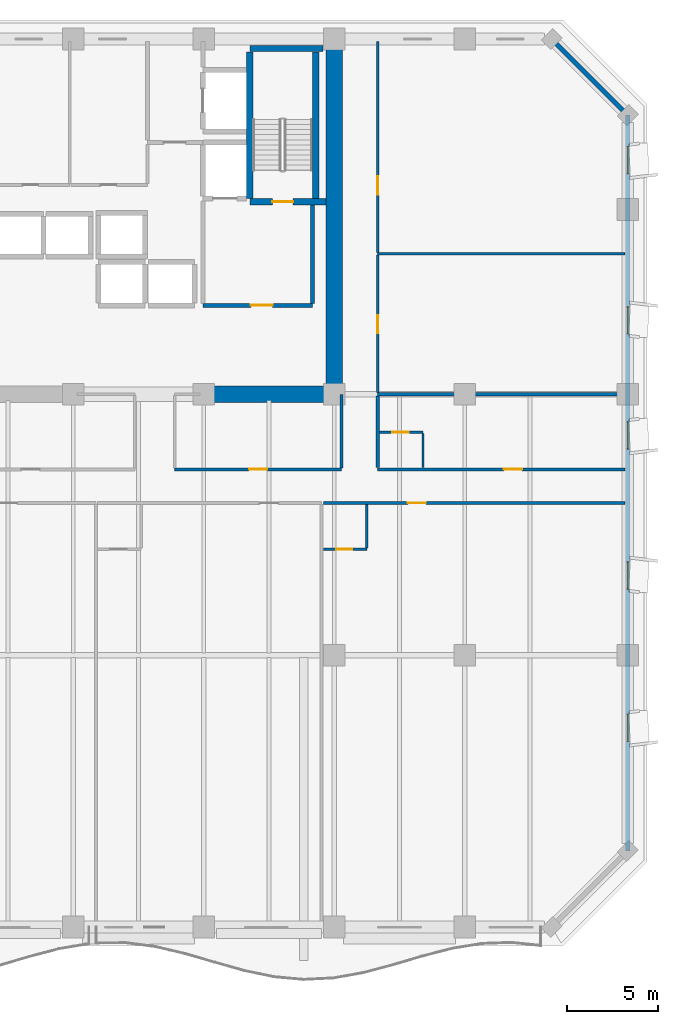
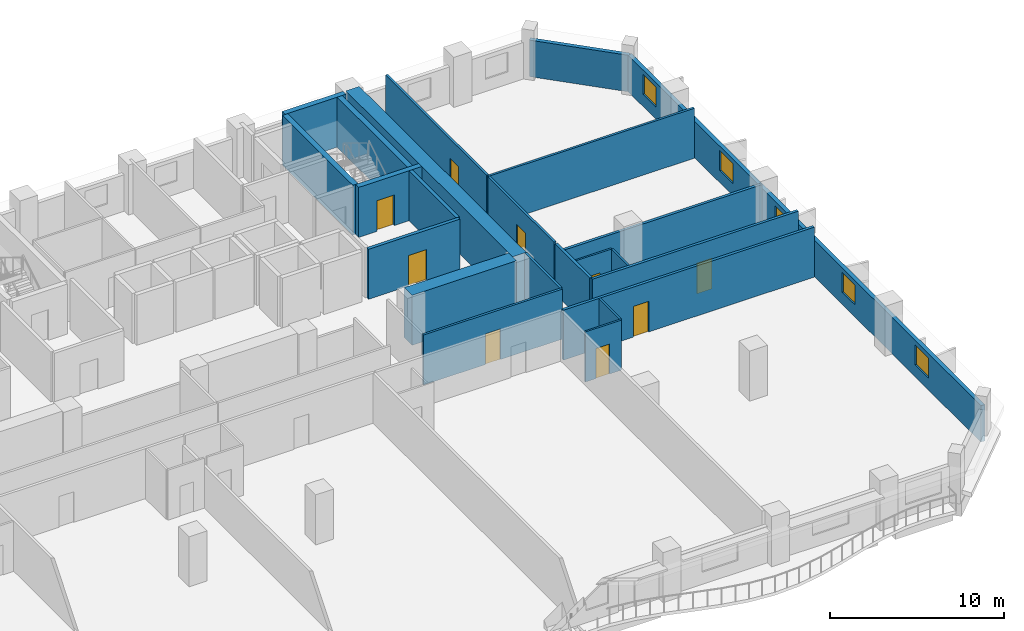
# One storey, part 10 of 15: 23 walls, 9 doors, 5 windows, 14 openings.
"""IFC4 building model written with IfcOpenShell, lengths in metres."""

import ifcopenshell
import ifcopenshell.guid

model = None  # the IFC model being written
_history = None  # IfcOwnerHistory: only IFC2X3 demands one
_inside = {}  # id of a spatial element -> (the spatial element, [elements in it])
_under = {}  # id of a project, library or spatial element -> (it, [spatial elements below it])
_declared = {}  # id of a project -> (the project, [libraries it declares])
_typed = {}  # id of a type object -> (the type object, [elements of that type])
_made_of = {}  # id of a material, layer set ... -> (it, [elements and type objects made of it])


def new_model(schema):
    """Start an empty IFC model of exactly this schema.

    Asked for "IFC4X3", IfcOpenShell would pick the latest addendum, in which some entities
    have other attributes; the version numbers below select the first issue.
    IFC2X3 requires an IfcOwnerHistory on every rooted entity: one is made here for all.
    """
    global model, _history
    if schema == "IFC4X3":
        model = ifcopenshell.file(schema_version=(4, 3, 0, 0))
    else:
        model = ifcopenshell.file(schema=schema)
    _inside.clear()
    _under.clear()
    _declared.clear()
    _typed.clear()
    _made_of.clear()
    _history = None
    if model.schema == "IFC2X3":
        org = make("IfcOrganization", Name="unknown")
        user = make(
            "IfcPersonAndOrganization",
            ThePerson=make("IfcPerson", FamilyName="unknown"),
            TheOrganization=org,
        )
        app = make(
            "IfcApplication",
            ApplicationDeveloper=org,
            Version="unknown",
            ApplicationFullName="unknown",
            ApplicationIdentifier="unknown",
        )
        _history = make(
            "IfcOwnerHistory",
            OwningUser=user,
            OwningApplication=app,
            ChangeAction="ADDED",
            CreationDate=0,
        )
    return model


def make(cls, **values):
    """One entity of the class cls with the attributes given. An attribute that is None is left unset."""
    return model.create_entity(
        cls, **{name: value for name, value in values.items() if value is not None}
    )


def rooted(cls, **values):
    """An entity with a GlobalId (a new one), such as an element, a storey or a relation."""
    return make(cls, GlobalId=ifcopenshell.guid.new(), OwnerHistory=_history, **values)


def si_unit(unit_type, name, prefix=None):
    """IfcSIUnit, for example si_unit("LENGTHUNIT", "METRE", prefix="MILLI")."""
    return make("IfcSIUnit", UnitType=unit_type, Prefix=prefix, Name=name)


def assignment(units):
    """IfcUnitAssignment: the units of a project."""
    return None if units is None else make("IfcUnitAssignment", Units=units)


def point(xyz):
    """IfcCartesianPoint."""
    return None if xyz is None else make("IfcCartesianPoint", Coordinates=xyz)


def direction(xyz):
    """IfcDirection."""
    return None if xyz is None else make("IfcDirection", DirectionRatios=xyz)


def frame(location, z_axis=None, x_axis=None):
    """IfcAxis2Placement3D, a coordinate frame: its origin and axes. An axis left out is left unset."""
    return make(
        "IfcAxis2Placement3D",
        Location=point(location),
        Axis=direction(z_axis),
        RefDirection=direction(x_axis),
    )


def frame_2d(location, x_axis=None):
    """IfcAxis2Placement2D, a coordinate frame in the plane: its origin and x axis."""
    return make(
        "IfcAxis2Placement2D", Location=point(location), RefDirection=direction(x_axis)
    )


def origin():
    """The frame at (0, 0, 0) with its axes left unset."""
    return frame((0.0, 0.0, 0.0))


def place(relative_to, where):
    """IfcLocalPlacement: puts the frame where relative to a parent placement (None: the world)."""
    return make(
        "IfcLocalPlacement", PlacementRelTo=relative_to, RelativePlacement=where
    )


def context(
    kind, dimensions, precision=None, world=None, true_north=None, identifier=None
):
    """IfcGeometricRepresentationContext, for example the 3D "Model" context."""
    return make(
        "IfcGeometricRepresentationContext",
        ContextIdentifier=identifier,
        ContextType=kind,
        CoordinateSpaceDimension=dimensions,
        Precision=precision,
        WorldCoordinateSystem=world,
        TrueNorth=true_north,
    )


def subcontext(parent, identifier, kind, view, scale=None):
    """IfcGeometricRepresentationSubContext, for example "Body" below "Model"."""
    return make(
        "IfcGeometricRepresentationSubContext",
        ContextIdentifier=identifier,
        ContextType=kind,
        ParentContext=parent,
        TargetScale=scale,
        TargetView=view,
    )


def project(units=None, contexts=None):
    """IfcProject with its units and contexts."""
    return rooted(
        "IfcProject",
        Name="project",
        RepresentationContexts=contexts,
        UnitsInContext=assignment(units),
    )


def spatial(cls, under=None, at=None, **own):
    """A site, building, storey or space (cls), placed at a placement, below another one or the project."""
    s = rooted(cls, ObjectPlacement=at, **own)
    if under is not None:
        _under.setdefault(under.id(), (under, []))[1].append(s)
    return s


def profile(cls, at=None, kind="AREA", **sizes):
    """A parametric profile (cls). Its sizes go by their IFC names, for example OverallWidth=200.0."""
    return make(cls, ProfileType=kind, Position=at, **sizes)


def rectangle(**sizes):
    """IfcRectangleProfileDef."""
    return profile("IfcRectangleProfileDef", **sizes)


def extrude(swept, where, along, depth):
    """IfcExtrudedAreaSolid: the profile swept, set in the frame where, extruded along a direction by depth."""
    return make(
        "IfcExtrudedAreaSolid",
        SweptArea=swept,
        Position=where,
        ExtrudedDirection=direction(along),
        Depth=depth,
    )


def shape(context_of_items, identifier, shape_type, items):
    """IfcShapeRepresentation: the items that make up one representation, for example the "Body"."""
    return make(
        "IfcShapeRepresentation",
        ContextOfItems=context_of_items,
        RepresentationIdentifier=identifier,
        RepresentationType=shape_type,
        Items=items,
    )


def material(Name=None, Category=None):
    """IfcMaterial."""
    return make("IfcMaterial", Name=Name, Category=Category)


def layer(
    of_material, thickness, ventilated=None, Name=None, Category=None, Priority=None
):
    """IfcMaterialLayer: one layer of a wall or slab, of a material (None: an air gap)."""
    return make(
        "IfcMaterialLayer",
        Material=of_material,
        LayerThickness=thickness,
        IsVentilated=ventilated,
        Name=Name,
        Category=Category,
        Priority=Priority,
    )


def layer_set(layers, Name=None):
    """IfcMaterialLayerSet."""
    return make("IfcMaterialLayerSet", MaterialLayers=layers, LayerSetName=Name)


def made_of(thing, what):
    """Note that an element or type object is made of a material, layer set ...; save() writes the relation."""
    if what is not None:
        _made_of.setdefault(what.id(), (what, []))[1].append(thing)
    return thing


def type_object(cls, material=None, **own):
    """A type object (cls), such as IfcWallType, which elements share."""
    return made_of(rooted(cls, **own), material)


def element(
    cls,
    number,
    at=None,
    inside=None,
    cuts=None,
    type_object=None,
    material=None,
    context=None,
    identifier="Body",
    shape_type=None,
    held_by="IfcProductDefinitionShape",
    body=None,
    shapes=None,
    **own,
):
    """One element of the class cls, such as IfcWall. Its Tag is "e" and its number.

    at: its placement. inside: the storey or other place that contains it. cuts: it is an
    opening in that element (IfcRelVoidsElement). A single representation is given by context,
    identifier, shape_type and body (its items); several are given by shapes. held_by: the class
    of the entity that holds the representations. save() writes the other relations.
    """
    e = rooted(cls, Tag="e%d" % number, ObjectPlacement=at, **own)
    if body is not None:
        shapes = [shape(context, identifier, shape_type, body)]
    if shapes is not None:
        e.Representation = make(held_by, Representations=shapes)
    if inside is not None:
        _inside.setdefault(inside.id(), (inside, []))[1].append(e)
    if cuts is not None:
        rooted(
            "IfcRelVoidsElement", RelatingBuildingElement=cuts, RelatedOpeningElement=e
        )
    if type_object is not None:
        _typed.setdefault(type_object.id(), (type_object, []))[1].append(e)
    return made_of(e, material)


def fill(opening, filler):
    """IfcRelFillsElement: the door or window that sits in an opening."""
    return rooted(
        "IfcRelFillsElement",
        RelatingOpeningElement=opening,
        RelatedBuildingElement=filler,
    )


def aggregate(whole, parts):
    """IfcRelAggregates: a whole, such as a stair, and the parts it consists of."""
    return rooted("IfcRelAggregates", RelatingObject=whole, RelatedObjects=parts)


def save(model, path):
    """Write the relations noted so far, then the file.

    IfcRelAggregates (storeys below a building ...), IfcRelContainedInSpatialStructure (elements
    in a storey), IfcRelDefinesByType, IfcRelAssociatesMaterial and IfcRelDeclares: one each for
    every whole, place, type object, material and project.
    """
    for whole, parts in _under.values():
        aggregate(whole, parts)
    for where, things in _inside.values():
        rooted(
            "IfcRelContainedInSpatialStructure",
            RelatedElements=things,
            RelatingStructure=where,
        )
    for kind, things in _typed.values():
        rooted("IfcRelDefinesByType", RelatedObjects=things, RelatingType=kind)
    for what, things in _made_of.values():
        rooted("IfcRelAssociatesMaterial", RelatedObjects=things, RelatingMaterial=what)
    for by, libraries in _declared.values():
        rooted("IfcRelDeclares", RelatingContext=by, RelatedDefinitions=libraries)
    model.write(path)


model = new_model("IFC4")

# Units and contexts
model_context = context("Model", 3, precision=1e-05, world=origin(), true_north=direction((0.0, 1.0)))
body_context = subcontext(model_context, "Body", "Model", "MODEL_VIEW")
ifc_project = project(units=[si_unit("LENGTHUNIT", "METRE"), si_unit("AREAUNIT", "SQUARE_METRE"), si_unit("VOLUMEUNIT", "CUBIC_METRE"), si_unit("PLANEANGLEUNIT", "RADIAN"), si_unit("MASSUNIT", "GRAM", prefix="KILO")], contexts=[model_context])

# Site, building, storey
site_placement = place(None, origin())
site = spatial("IfcSite", under=ifc_project, at=site_placement, CompositionType="ELEMENT")
building_placement = place(site_placement, origin())
building = spatial("IfcBuilding", under=site, at=building_placement, Name="Kaelvorn Grand Hotel", CompositionType="ELEMENT")
storey_placement = place(building_placement, frame((0.0, 0.0, 111.800048828125)))
storey = spatial("IfcBuildingStorey", under=building, at=storey_placement, Name="L26", CompositionType="ELEMENT", Elevation=111.800048828125)

# Walls
ifc_material_1 = material(Name="Concrete C60/75", Category="concrete")
ifc_layer_1 = layer(ifc_material_1, 0.89990234375)
ifc_layer_set_1 = layer_set([ifc_layer_1], Name="Concrete C60/75")
wall_type_1 = type_object("IfcWallType", Name="WL-CORE-900-C60", PredefinedType="SHEAR", material=ifc_layer_set_1)
wall_1_placement = place(storey_placement, frame((67.800048828125, 29.39990234375, 0.0), z_axis=(0.0, 0.0, 1.0), x_axis=(0.0, 1.0, 0.0)))
element("IfcWall", 1, at=wall_1_placement, inside=storey, type_object=wall_type_1, Name="L26 Rear-Core East Shear Wall", PredefinedType="SHEAR", context=body_context, shape_type="SweptSolid", body=[
    extrude(rectangle(XDim=19.2001953125, YDim=0.89990234375, at=frame_2d((9.60009765625, 0.0))), origin(), (0.0, 0.0, 1.0), 3.510009765625),
])
wall_2_placement = place(storey_placement, frame((60.39990234375, 29.39990234375, 0.0), z_axis=(0.0, 0.0, 1.0), x_axis=(1.0, 0.0, 0.0)))
element("IfcWall", 2, at=wall_2_placement, inside=storey, type_object=wall_type_1, Name="L26 Rear-Core Coupled Shear Pier S4", PredefinedType="SHEAR", context=body_context, shape_type="SweptSolid", body=[
    extrude(rectangle(XDim=6.945068359375, YDim=0.89990234375, at=frame_2d((3.47265625, 0.0))), origin(), (0.0, 0.0, 1.0), 3.510009765625),
])

# Wall, openings, windows
ifc_material_2 = material(Name="Concrete C40/50", Category="concrete")
ifc_layer_2 = layer(ifc_material_2, 0.260009765625)
ifc_layer_set_2 = layer_set([ifc_layer_2], Name="Concrete C40/50")
wall_type_2 = type_object("IfcWallType", Name="WL-EXT-260-C40", PredefinedType="SOLIDWALL", material=ifc_layer_set_2)
wall_3_placement = place(storey_placement, frame((84.0, 4.199951171875, 0.0), z_axis=(0.0, 0.0, 1.0), x_axis=(0.0, 1.0, 0.0)))
wall_3 = element("IfcWall", 3, at=wall_3_placement, inside=storey, type_object=wall_type_2, Name="L26 Exterior Architectural Concrete Wall 03", PredefinedType="SOLIDWALL", context=body_context, shape_type="SweptSolid", body=[
    extrude(rectangle(XDim=40.60009765625, YDim=0.260009765625, at=frame_2d((20.300048828125, 0.0))), origin(), (0.0, 0.0, 1.0), 2.56005859375),
])
opening_1_placement = place(wall_3_placement, frame((6.050048828125, 0.0, 0.85009765625)))
opening_1 = element("IfcOpeningElement", 4, at=opening_1_placement, cuts=wall_3, Name="Opening W10", PredefinedType="OPENING", context=body_context, shape_type="SweptSolid", body=[
    extrude(rectangle(XDim=1.5, YDim=1.39990234375, at=frame_2d((0.75, 0.699951171875))), frame((0.0, 0.14013671875, 0.0), z_axis=(0.0, -1.0, 0.0), x_axis=(1.0, 0.0, 0.0)), (0.0, 0.0, 1.0), 0.280029296875),
])
opening_2_placement = place(wall_3_placement, frame((14.449951171875, 0.0, 0.85009765625)))
opening_2 = element("IfcOpeningElement", 5, at=opening_2_placement, cuts=wall_3, Name="Opening W10", PredefinedType="OPENING", context=body_context, shape_type="SweptSolid", body=[
    extrude(rectangle(XDim=1.5, YDim=1.39990234375, at=frame_2d((0.75, 0.699951171875))), frame((0.0, 0.14013671875, 0.0), z_axis=(0.0, -1.0, 0.0), x_axis=(1.0, 0.0, 0.0)), (0.0, 0.0, 1.0), 0.280029296875),
])
opening_3_placement = place(wall_3_placement, frame((22.175048828125, 0.0, 0.85009765625)))
opening_3 = element("IfcOpeningElement", 6, at=opening_3_placement, cuts=wall_3, Name="Opening W10", PredefinedType="OPENING", context=body_context, shape_type="SweptSolid", body=[
    extrude(rectangle(XDim=1.5, YDim=1.39990234375, at=frame_2d((0.75, 0.699951171875))), frame((0.0, 0.14013671875, 0.0), z_axis=(0.0, -1.0, 0.0), x_axis=(1.0, 0.0, 0.0)), (0.0, 0.0, 1.0), 0.280029296875),
])
opening_4_placement = place(wall_3_placement, frame((28.52490234375, 0.0, 0.85009765625)))
opening_4 = element("IfcOpeningElement", 7, at=opening_4_placement, cuts=wall_3, Name="Opening W10", PredefinedType="OPENING", context=body_context, shape_type="SweptSolid", body=[
    extrude(rectangle(XDim=1.5, YDim=1.39990234375, at=frame_2d((0.75, 0.699951171875))), frame((0.0, 0.14013671875, 0.0), z_axis=(0.0, -1.0, 0.0), x_axis=(1.0, 0.0, 0.0)), (0.0, 0.0, 1.0), 0.280029296875),
])
opening_5_placement = place(wall_3_placement, frame((37.364990234375, 0.0, 0.85009765625)))
opening_5 = element("IfcOpeningElement", 8, at=opening_5_placement, cuts=wall_3, Name="Opening W10", PredefinedType="OPENING", context=body_context, shape_type="SweptSolid", body=[
    extrude(rectangle(XDim=1.5, YDim=1.39990234375, at=frame_2d((0.75, 0.699951171875))), frame((0.0, 0.14013671875, 0.0), z_axis=(0.0, -1.0, 0.0), x_axis=(1.0, 0.0, 0.0)), (0.0, 0.0, 1.0), 0.280029296875),
])
ifc_material_3 = material(Name="Laminated Low-E Glass", Category="glass")
window_type = type_object("IfcWindowType", Name="WIN-COR-1500x1400", PartitioningType="SINGLE_PANEL", PredefinedType="WINDOW", material=ifc_material_3)
window_1_placement = place(opening_1_placement, origin())
window_1 = element("IfcWindow", 9, at=window_1_placement, inside=storey, type_object=window_type, Name="L26 E Wing Tilted-Frame Ribbon Window E01", OverallHeight=1.39990234375, OverallWidth=1.5, PartitioningType="SINGLE_PANEL", PredefinedType="WINDOW", context=body_context, shape_type="SweptSolid", body=[
    extrude(rectangle(XDim=1.5, YDim=1.39990234375, at=frame_2d((0.75, 0.699951171875))), frame((0.0, 0.030029296875, 0.0), z_axis=(0.0, -1.0, 0.0), x_axis=(1.0, 0.0, 0.0)), (0.0, 0.0, 1.0), 0.06005859375),
])
fill(opening_1, window_1)
window_2_placement = place(opening_2_placement, origin())
window_2 = element("IfcWindow", 10, at=window_2_placement, inside=storey, type_object=window_type, Name="L26 E Wing Tilted-Frame Ribbon Window E02", OverallHeight=1.39990234375, OverallWidth=1.5, PartitioningType="SINGLE_PANEL", PredefinedType="WINDOW", context=body_context, shape_type="SweptSolid", body=[
    extrude(rectangle(XDim=1.5, YDim=1.39990234375, at=frame_2d((0.75, 0.699951171875))), frame((0.0, 0.030029296875, 0.0), z_axis=(0.0, -1.0, 0.0), x_axis=(1.0, 0.0, 0.0)), (0.0, 0.0, 1.0), 0.06005859375),
])
fill(opening_2, window_2)
window_3_placement = place(opening_3_placement, origin())
window_3 = element("IfcWindow", 11, at=window_3_placement, inside=storey, type_object=window_type, Name="L26 E Wing Tilted-Frame Ribbon Window E03", OverallHeight=1.39990234375, OverallWidth=1.5, PartitioningType="SINGLE_PANEL", PredefinedType="WINDOW", context=body_context, shape_type="SweptSolid", body=[
    extrude(rectangle(XDim=1.5, YDim=1.39990234375, at=frame_2d((0.75, 0.699951171875))), frame((0.0, 0.030029296875, 0.0), z_axis=(0.0, -1.0, 0.0), x_axis=(1.0, 0.0, 0.0)), (0.0, 0.0, 1.0), 0.06005859375),
])
fill(opening_3, window_3)
window_4_placement = place(opening_4_placement, origin())
window_4 = element("IfcWindow", 12, at=window_4_placement, inside=storey, type_object=window_type, Name="L26 E Wing Tilted-Frame Ribbon Window E04", OverallHeight=1.39990234375, OverallWidth=1.5, PartitioningType="SINGLE_PANEL", PredefinedType="WINDOW", context=body_context, shape_type="SweptSolid", body=[
    extrude(rectangle(XDim=1.5, YDim=1.39990234375, at=frame_2d((0.75, 0.699951171875))), frame((0.0, 0.030029296875, 0.0), z_axis=(0.0, -1.0, 0.0), x_axis=(1.0, 0.0, 0.0)), (0.0, 0.0, 1.0), 0.06005859375),
])
fill(opening_4, window_4)
window_5_placement = place(opening_5_placement, origin())
window_5 = element("IfcWindow", 13, at=window_5_placement, inside=storey, type_object=window_type, Name="L26 E Wing Tilted-Frame Ribbon Window E05", OverallHeight=1.39990234375, OverallWidth=1.5, PartitioningType="SINGLE_PANEL", PredefinedType="WINDOW", context=body_context, shape_type="SweptSolid", body=[
    extrude(rectangle(XDim=1.5, YDim=1.39990234375, at=frame_2d((0.75, 0.699951171875))), frame((0.0, 0.030029296875, 0.0), z_axis=(0.0, -1.0, 0.0), x_axis=(1.0, 0.0, 0.0)), (0.0, 0.0, 1.0), 0.06005859375),
])
fill(opening_5, window_5)

# Wall
wall_4_placement = place(storey_placement, frame((84.0, 44.800048828125, 0.0), z_axis=(0.0, 0.0, 1.0), x_axis=(-0.707106781187, 0.707106781187, 0.0)))
element("IfcWall", 14, at=wall_4_placement, inside=storey, type_object=wall_type_2, Name="L26 Exterior Architectural Concrete Wall 04", PredefinedType="SOLIDWALL", context=body_context, shape_type="SweptSolid", body=[
    extrude(rectangle(XDim=5.939697265625, YDim=0.260009765625, at=frame_2d((2.9697265625, 0.0))), origin(), (0.0, 0.0, 1.0), 2.56005859375),
])

# Wall, opening, door
ifc_material_4 = material(Name="Moisture-Resistant Tile & Stud Board")
ifc_layer_3 = layer(ifc_material_4, 0.125)
ifc_layer_set_3 = layer_set([ifc_layer_3], Name="Moisture-Resistant Tile & Stud Board")
wall_type_3 = type_object("IfcWallType", Name="WL-PART-125-WET", PredefinedType="PARTITIONING", material=ifc_layer_set_3)
wall_5_placement = place(storey_placement, frame((67.1953125, 20.85009765625, 0.0), z_axis=(0.0, 0.0, 1.0), x_axis=(1.0, 0.0, 0.0)))
wall_5 = element("IfcWall", 15, at=wall_5_placement, inside=storey, type_object=wall_type_3, Name="L26 En-suite Bathroom L26-06 S Partition", PredefinedType="PARTITIONING", context=body_context, shape_type="SweptSolid", body=[
    extrude(rectangle(XDim=2.405029296875, YDim=0.125, at=frame_2d((1.20263671875, 0.0))), origin(), (0.0, 0.0, 1.0), 3.510009765625),
])
opening_6_placement = place(wall_5_placement, frame((0.705078125, 0.0, 0.0)))
opening_6 = element("IfcOpeningElement", 16, at=opening_6_placement, cuts=wall_5, Name="Opening DI4", PredefinedType="OPENING", context=body_context, shape_type="SweptSolid", body=[
    extrude(rectangle(XDim=0.89990234375, YDim=2.10009765625, at=frame_2d((0.449951171875, 1.050048828125))), frame((0.0, 0.072509765625, 0.0), z_axis=(0.0, -1.0, 0.0), x_axis=(1.0, 0.0, 0.0)), (0.0, 0.0, 1.0), 0.14501953125),
])
ifc_material_5 = material(Name="Timber Veneer Leaf", Category="wood")
door_type_1 = type_object("IfcDoorType", Name="DR-INT-BATH-900x2100", OperationType="NOTDEFINED", PredefinedType="DOOR", material=ifc_material_5)
door_1_placement = place(opening_6_placement, origin())
door_1 = element("IfcDoor", 17, at=door_1_placement, inside=storey, type_object=door_type_1, Name="L26 En-suite Bathroom L26-06 Door", OperationType="SINGLE_SWING_LEFT", OverallHeight=2.10009765625, OverallWidth=0.89990234375, PredefinedType="DOOR", context=body_context, shape_type="SweptSolid", body=[
    extrude(rectangle(XDim=0.89990234375, YDim=2.10009765625, at=frame_2d((0.449951171875, 1.050048828125))), frame((0.0, 0.02490234375, 0.0), z_axis=(0.0, -1.0, 0.0), x_axis=(1.0, 0.0, 0.0)), (0.0, 0.0, 1.0), 0.050048828125),
])
fill(opening_6, door_1)

# Wall
wall_6_placement = place(storey_placement, frame((69.600341796875, 20.91748046875, 0.0), z_axis=(0.0, 0.0, 1.0), x_axis=(0.0, 1.0, 0.0)))
element("IfcWall", 18, at=wall_6_placement, inside=storey, type_object=wall_type_3, Name="L26 En-suite Bathroom L26-06 E Partition", PredefinedType="PARTITIONING", context=body_context, shape_type="SweptSolid", body=[
    extrude(rectangle(XDim=2.387451171875, YDim=0.125, at=frame_2d((1.19384765625, 0.0))), origin(), (0.0, 0.0, 1.0), 3.510009765625),
])

# Wall, opening, door
wall_7_placement = place(storey_placement, frame((70.294921875, 27.300048828125, 0.0), z_axis=(0.0, 0.0, 1.0), x_axis=(1.0, 0.0, 0.0)))
wall_7 = element("IfcWall", 19, at=wall_7_placement, inside=storey, type_object=wall_type_3, Name="L26 En-suite Bathroom L26-08 N Partition", PredefinedType="PARTITIONING", context=body_context, shape_type="SweptSolid", body=[
    extrude(rectangle(XDim=2.405029296875, YDim=0.125, at=frame_2d((1.20263671875, 0.0))), origin(), (0.0, 0.0, 1.0), 3.510009765625),
])
opening_7_placement = place(wall_7_placement, frame((0.705078125, 0.0, 0.0)))
opening_7 = element("IfcOpeningElement", 20, at=opening_7_placement, cuts=wall_7, Name="Opening DI4", PredefinedType="OPENING", context=body_context, shape_type="SweptSolid", body=[
    extrude(rectangle(XDim=0.89990234375, YDim=2.10009765625, at=frame_2d((0.449951171875, 1.050048828125))), frame((0.0, 0.072509765625, 0.0), z_axis=(0.0, -1.0, 0.0), x_axis=(1.0, 0.0, 0.0)), (0.0, 0.0, 1.0), 0.14501953125),
])
door_2_placement = place(opening_7_placement, origin())
door_2 = element("IfcDoor", 21, at=door_2_placement, inside=storey, type_object=door_type_1, Name="L26 En-suite Bathroom L26-08 Door", OperationType="SINGLE_SWING_LEFT", OverallHeight=2.10009765625, OverallWidth=0.89990234375, PredefinedType="DOOR", context=body_context, shape_type="SweptSolid", body=[
    extrude(rectangle(XDim=0.89990234375, YDim=2.10009765625, at=frame_2d((0.449951171875, 1.050048828125))), frame((0.0, 0.02490234375, 0.0), z_axis=(0.0, -1.0, 0.0), x_axis=(1.0, 0.0, 0.0)), (0.0, 0.0, 1.0), 0.050048828125),
])
fill(opening_7, door_2)

# Wall
wall_8_placement = place(storey_placement, frame((72.699951171875, 25.344970703125, 0.0), z_axis=(0.0, 0.0, 1.0), x_axis=(0.0, 1.0, 0.0)))
element("IfcWall", 22, at=wall_8_placement, inside=storey, type_object=wall_type_3, Name="L26 En-suite Bathroom L26-08 E Partition", PredefinedType="PARTITIONING", context=body_context, shape_type="SweptSolid", body=[
    extrude(rectangle(XDim=1.887451171875, YDim=0.125, at=frame_2d((0.94384765625, 0.0))), origin(), (0.0, 0.0, 1.0), 3.510009765625),
])

# Wall, opening, door
ifc_material_6 = material(Name="Acoustic Gypsum & Stud Partition")
ifc_layer_4 = layer(ifc_material_6, 0.14990234375)
ifc_layer_set_4 = layer_set([ifc_layer_4], Name="Acoustic Gypsum & Stud Partition")
wall_type_4 = type_object("IfcWallType", Name="WL-PART-150-EI60", PredefinedType="PARTITIONING", material=ifc_layer_set_4)
wall_9_placement = place(storey_placement, frame((59.0, 25.25, 0.0), z_axis=(0.0, 0.0, 1.0), x_axis=(1.0, 0.0, 0.0)))
wall_9 = element("IfcWall", 23, at=wall_9_placement, inside=storey, type_object=wall_type_4, Name="L26 Trade Advisory Office S Partition", PredefinedType="PARTITIONING", context=body_context, shape_type="SweptSolid", body=[
    extrude(rectangle(XDim=9.199951171875, YDim=0.14990234375, at=frame_2d((4.60009765625, 0.0))), origin(), (0.0, 0.0, 1.0), 3.510009765625),
])
opening_8_placement = place(wall_9_placement, frame((4.10009765625, 0.0, 0.0)))
opening_8 = element("IfcOpeningElement", 24, at=opening_8_placement, cuts=wall_9, Name="Opening DI3", PredefinedType="OPENING", context=body_context, shape_type="SweptSolid", body=[
    extrude(rectangle(XDim=1.0, YDim=2.14990234375, at=frame_2d((0.5, 1.074951171875))), frame((0.0, 0.0849609375, 0.0), z_axis=(0.0, -1.0, 0.0), x_axis=(1.0, 0.0, 0.0)), (0.0, 0.0, 1.0), 0.169921875),
])
ifc_material_7 = material(Name="Timber Veneer Fire Leaf", Category="wood")
door_type_2 = type_object("IfcDoorType", Name="DR-INT-GUEST-1000x2150", OperationType="NOTDEFINED", PredefinedType="DOOR", material=ifc_material_7)
door_3_placement = place(opening_8_placement, origin())
door_3 = element("IfcDoor", 25, at=door_3_placement, inside=storey, type_object=door_type_2, Name="L26 Trade Advisory Office Door", OperationType="SINGLE_SWING_LEFT", OverallHeight=2.14990234375, OverallWidth=1.0, PredefinedType="DOOR", context=body_context, shape_type="SweptSolid", body=[
    extrude(rectangle(XDim=1.0, YDim=2.14990234375, at=frame_2d((0.5, 1.074951171875))), frame((0.0, 0.02490234375, 0.0), z_axis=(0.0, -1.0, 0.0), x_axis=(1.0, 0.0, 0.0)), (0.0, 0.0, 1.0), 0.050048828125),
])
fill(opening_8, door_3)

# Walls
wall_10_placement = place(storey_placement, frame((68.199951171875, 25.330078125, 0.0), z_axis=(0.0, 0.0, 1.0), x_axis=(0.0, 1.0, 0.0)))
element("IfcWall", 26, at=wall_10_placement, inside=storey, type_object=wall_type_4, Name="L26 Trade Advisory Office E Partition", PredefinedType="PARTITIONING", context=body_context, shape_type="SweptSolid", body=[
    extrude(rectangle(XDim=4.059814453125, YDim=0.14990234375, at=frame_2d((2.02978515625, 0.0))), origin(), (0.0, 0.0, 1.0), 3.510009765625),
])
wall_11_placement = place(storey_placement, frame((70.199951171875, 37.14990234375, 0.0), z_axis=(0.0, 0.0, 1.0), x_axis=(1.0, 0.0, 0.0)))
element("IfcWall", 27, at=wall_11_placement, inside=storey, type_object=wall_type_4, Name="L26 North-East Trade Advisory Office N Partition", PredefinedType="PARTITIONING", context=body_context, shape_type="SweptSolid", body=[
    extrude(rectangle(XDim=13.650146484375, YDim=0.14990234375, at=frame_2d((6.8251953125, 0.0))), origin(), (0.0, 0.0, 1.0), 3.510009765625),
])

# Wall, opening, door
wall_12_placement = place(storey_placement, frame((70.199951171875, 29.4951171875, 0.0), z_axis=(0.0, 0.0, 1.0), x_axis=(0.0, 1.0, 0.0)))
wall_12 = element("IfcWall", 28, at=wall_12_placement, inside=storey, type_object=wall_type_4, Name="L26 North-East Trade Advisory Office W Partition", PredefinedType="PARTITIONING", context=body_context, shape_type="SweptSolid", body=[
    extrude(rectangle(XDim=7.574951171875, YDim=0.14990234375, at=frame_2d((3.78759765625, 0.0))), origin(), (0.0, 0.0, 1.0), 3.510009765625),
])
opening_9_placement = place(wall_12_placement, frame((3.27490234375, 0.0, 0.0)))
opening_9 = element("IfcOpeningElement", 29, at=opening_9_placement, cuts=wall_12, Name="Opening DI3", PredefinedType="OPENING", context=body_context, shape_type="SweptSolid", body=[
    extrude(rectangle(XDim=1.0, YDim=2.14990234375, at=frame_2d((0.5, 1.074951171875))), frame((0.0, 0.0849609375, 0.0), z_axis=(0.0, -1.0, 0.0), x_axis=(1.0, 0.0, 0.0)), (0.0, 0.0, 1.0), 0.169921875),
])
door_4_placement = place(opening_9_placement, origin())
door_4 = element("IfcDoor", 30, at=door_4_placement, inside=storey, type_object=door_type_2, Name="L26 North-East Trade Advisory Office Door", OperationType="SINGLE_SWING_RIGHT", OverallHeight=2.14990234375, OverallWidth=1.0, PredefinedType="DOOR", context=body_context, shape_type="SweptSolid", body=[
    extrude(rectangle(XDim=1.0, YDim=2.14990234375, at=frame_2d((0.5, 1.074951171875))), frame((0.0, 0.02490234375, 0.0), z_axis=(0.0, -1.0, 0.0), x_axis=(1.0, 0.0, 0.0)), (0.0, 0.0, 1.0), 0.050048828125),
])
fill(opening_9, door_4)

wall_13_placement = place(storey_placement, frame((70.199951171875, 37.22998046875, 0.0), z_axis=(0.0, 0.0, 1.0), x_axis=(0.0, 1.0, 0.0)))
wall_13 = element("IfcWall", 31, at=wall_13_placement, inside=storey, type_object=wall_type_4, Name="L26 North-East Botanical Conservatory Salon W Partition", PredefinedType="PARTITIONING", context=body_context, shape_type="SweptSolid", body=[
    extrude(rectangle(XDim=11.6201171875, YDim=0.14990234375, at=frame_2d((5.81005859375, 0.0))), origin(), (0.0, 0.0, 1.0), 3.510009765625),
])
opening_10_placement = place(wall_13_placement, frame((3.18994140625, 0.0, 0.0)))
opening_10 = element("IfcOpeningElement", 32, at=opening_10_placement, cuts=wall_13, Name="Opening DI3", PredefinedType="OPENING", context=body_context, shape_type="SweptSolid", body=[
    extrude(rectangle(XDim=1.0, YDim=2.14990234375, at=frame_2d((0.5, 1.074951171875))), frame((0.0, 0.0849609375, 0.0), z_axis=(0.0, -1.0, 0.0), x_axis=(1.0, 0.0, 0.0)), (0.0, 0.0, 1.0), 0.169921875),
])
door_5_placement = place(opening_10_placement, origin())
door_5 = element("IfcDoor", 33, at=door_5_placement, inside=storey, type_object=door_type_2, Name="L26 North-East Botanical Conservatory Salon Door", OperationType="SINGLE_SWING_LEFT", OverallHeight=2.14990234375, OverallWidth=1.0, PredefinedType="DOOR", context=body_context, shape_type="SweptSolid", body=[
    extrude(rectangle(XDim=1.0, YDim=2.14990234375, at=frame_2d((0.5, 1.074951171875))), frame((0.0, 0.02490234375, 0.0), z_axis=(0.0, -1.0, 0.0), x_axis=(1.0, 0.0, 0.0)), (0.0, 0.0, 1.0), 0.050048828125),
])
fill(opening_10, door_5)

ifc_layer_5 = layer(ifc_material_6, 0.179931640625)
ifc_layer_set_5 = layer_set([ifc_layer_5], Name="Acoustic Gypsum & Stud Partition")
wall_type_5 = type_object("IfcWallType", Name="WL-PART-180-EI60", PredefinedType="PARTITIONING", material=ifc_layer_set_5)
wall_14_placement = place(storey_placement, frame((67.1953125, 23.39990234375, 0.0), z_axis=(0.0, 0.0, 1.0), x_axis=(1.0, 0.0, 0.0)))
wall_14 = element("IfcWall", 34, at=wall_14_placement, inside=storey, type_object=wall_type_5, Name="L26 Presidential Sky Suite L26-06 N Partition", PredefinedType="PARTITIONING", context=body_context, shape_type="SweptSolid", body=[
    extrude(rectangle(XDim=16.65478515625, YDim=0.179931640625, at=frame_2d((8.327392578125, 0.0))), origin(), (0.0, 0.0, 1.0), 3.510009765625),
])
opening_11_placement = place(wall_14_placement, frame((4.664794921875, 0.0, 0.0)))
opening_11 = element("IfcOpeningElement", 35, at=opening_11_placement, cuts=wall_14, Name="Opening DI3", PredefinedType="OPENING", context=body_context, shape_type="SweptSolid", body=[
    extrude(rectangle(XDim=1.0, YDim=2.14990234375, at=frame_2d((0.5, 1.074951171875))), frame((0.0, 0.10009765625, 0.0), z_axis=(0.0, -1.0, 0.0), x_axis=(1.0, 0.0, 0.0)), (0.0, 0.0, 1.0), 0.199951171875),
])
door_6_placement = place(opening_11_placement, origin())
door_6 = element("IfcDoor", 36, at=door_6_placement, inside=storey, type_object=door_type_2, Name="L26 Presidential Sky Suite L26-06 Door", OperationType="SINGLE_SWING_RIGHT", OverallHeight=2.14990234375, OverallWidth=1.0, PredefinedType="DOOR", context=body_context, shape_type="SweptSolid", body=[
    extrude(rectangle(XDim=1.0, YDim=2.14990234375, at=frame_2d((0.5, 1.074951171875))), frame((0.0, 0.02490234375, 0.0), z_axis=(0.0, -1.0, 0.0), x_axis=(1.0, 0.0, 0.0)), (0.0, 0.0, 1.0), 0.050048828125),
])
fill(opening_11, door_6)

wall_15_placement = place(storey_placement, frame((70.199951171875, 25.25, 0.0), z_axis=(0.0, 0.0, 1.0), x_axis=(1.0, 0.0, 0.0)))
wall_15 = element("IfcWall", 37, at=wall_15_placement, inside=storey, type_object=wall_type_5, Name="L26 East Chamfer Corner Suite L26-08 S Partition", PredefinedType="PARTITIONING", context=body_context, shape_type="SweptSolid", body=[
    extrude(rectangle(XDim=13.650146484375, YDim=0.179931640625, at=frame_2d((6.8251953125, 0.0))), origin(), (0.0, 0.0, 1.0), 3.510009765625),
])
opening_12_placement = place(wall_15_placement, frame((6.965087890625, 0.0, 0.0)))
opening_12 = element("IfcOpeningElement", 38, at=opening_12_placement, cuts=wall_15, Name="Opening DI3", PredefinedType="OPENING", context=body_context, shape_type="SweptSolid", body=[
    extrude(rectangle(XDim=1.0, YDim=2.14990234375, at=frame_2d((0.5, 1.074951171875))), frame((0.0, 0.10009765625, 0.0), z_axis=(0.0, -1.0, 0.0), x_axis=(1.0, 0.0, 0.0)), (0.0, 0.0, 1.0), 0.199951171875),
])
door_7_placement = place(opening_12_placement, origin())
door_7 = element("IfcDoor", 39, at=door_7_placement, inside=storey, type_object=door_type_2, Name="L26 East Chamfer Corner Suite L26-08 Door", OperationType="SINGLE_SWING_RIGHT", OverallHeight=2.14990234375, OverallWidth=1.0, PredefinedType="DOOR", context=body_context, shape_type="SweptSolid", body=[
    extrude(rectangle(XDim=1.0, YDim=2.14990234375, at=frame_2d((0.5, 1.074951171875))), frame((0.0, 0.02490234375, 0.0), z_axis=(0.0, -1.0, 0.0), x_axis=(1.0, 0.0, 0.0)), (0.0, 0.0, 1.0), 0.050048828125),
])
fill(opening_12, door_7)

# Walls
wall_16_placement = place(storey_placement, frame((70.199951171875, 29.39990234375, 0.0), z_axis=(0.0, 0.0, 1.0), x_axis=(1.0, 0.0, 0.0)))
element("IfcWall", 40, at=wall_16_placement, inside=storey, type_object=wall_type_5, Name="L26 East Chamfer Corner Suite L26-08 N Partition", PredefinedType="PARTITIONING", context=body_context, shape_type="SweptSolid", body=[
    extrude(rectangle(XDim=13.650146484375, YDim=0.179931640625, at=frame_2d((6.8251953125, 0.0))), origin(), (0.0, 0.0, 1.0), 2.85986328125),
])
wall_17_placement = place(storey_placement, frame((70.199951171875, 25.344970703125, 0.0), z_axis=(0.0, 0.0, 1.0), x_axis=(0.0, 1.0, 0.0)))
element("IfcWall", 41, at=wall_17_placement, inside=storey, type_object=wall_type_5, Name="L26 East Chamfer Corner Suite L26-08 W Partition", PredefinedType="PARTITIONING", context=body_context, shape_type="SweptSolid", body=[
    extrude(rectangle(XDim=3.9599609375, YDim=0.179931640625, at=frame_2d((1.97998046875, 0.0))), origin(), (0.0, 0.0, 1.0), 3.510009765625),
])

# Wall, opening, door
ifc_layer_6 = layer(ifc_material_2, 0.219970703125)
ifc_layer_set_6 = layer_set([ifc_layer_6], Name="Concrete C40/50")
wall_type_6 = type_object("IfcWallType", Name="WL-PART-220-EI120", PredefinedType="PARTITIONING", material=ifc_layer_set_6)
wall_18_placement = place(storey_placement, frame((60.550048828125, 34.300048828125, 0.0), z_axis=(0.0, 0.0, 1.0), x_axis=(1.0, 0.0, 0.0)))
wall_18 = element("IfcWall", 42, at=wall_18_placement, inside=storey, type_object=wall_type_6, Name="L26 Firefighting Lift Lobby 2 S Partition", PredefinedType="PARTITIONING", context=body_context, shape_type="SweptSolid", body=[
    extrude(rectangle(XDim=6.050048828125, YDim=0.219970703125, at=frame_2d((3.02490234375, 0.0))), origin(), (0.0, 0.0, 1.0), 3.510009765625),
])
opening_13_placement = place(wall_18_placement, frame((2.64990234375, 0.0, 0.0)))
opening_13 = element("IfcOpeningElement", 43, at=opening_13_placement, cuts=wall_18, Name="Opening DI2", PredefinedType="OPENING", context=body_context, shape_type="SweptSolid", body=[
    extrude(rectangle(XDim=1.199951171875, YDim=2.14990234375, at=frame_2d((0.60009765625, 1.074951171875))), frame((0.0, 0.1201171875, 0.0), z_axis=(0.0, -1.0, 0.0), x_axis=(1.0, 0.0, 0.0)), (0.0, 0.0, 1.0), 0.239990234375),
])
door_type_3 = type_object("IfcDoorType", Name="DR-INT-FFLOB-1200x2150", OperationType="NOTDEFINED", PredefinedType="DOOR", material=ifc_material_7)
door_8_placement = place(opening_13_placement, origin())
door_8 = element("IfcDoor", 44, at=door_8_placement, inside=storey, type_object=door_type_3, Name="L26 Firefighting Lift Lobby 2 Door", OperationType="SINGLE_SWING_RIGHT", OverallHeight=2.14990234375, OverallWidth=1.199951171875, PredefinedType="DOOR", context=body_context, shape_type="SweptSolid", body=[
    extrude(rectangle(XDim=1.199951171875, YDim=2.14990234375, at=frame_2d((0.60009765625, 1.074951171875))), frame((0.0, 0.02490234375, 0.0), z_axis=(0.0, -1.0, 0.0), x_axis=(1.0, 0.0, 0.0)), (0.0, 0.0, 1.0), 0.050048828125),
])
fill(opening_13, door_8)

# Wall
wall_19_placement = place(storey_placement, frame((66.60009765625, 34.4150390625, 0.0), z_axis=(0.0, 0.0, 1.0), x_axis=(0.0, 1.0, 0.0)))
element("IfcWall", 45, at=wall_19_placement, inside=storey, type_object=wall_type_6, Name="L26 Firefighting Lift Lobby 2 E Partition", PredefinedType="PARTITIONING", context=body_context, shape_type="SweptSolid", body=[
    extrude(rectangle(XDim=5.429931640625, YDim=0.219970703125, at=frame_2d((2.71484375, 0.0))), origin(), (0.0, 0.0, 1.0), 3.510009765625),
])

# Wall, opening, door
ifc_layer_7 = layer(ifc_material_1, 0.35009765625)
ifc_layer_set_7 = layer_set([ifc_layer_7], Name="Concrete C60/75")
wall_type_7 = type_object("IfcWallType", Name="WL-SHAFT-350-C60", PredefinedType="SHEAR", material=ifc_layer_set_7)
wall_20_placement = place(storey_placement, frame((63.14501953125, 40.02490234375, 0.0), z_axis=(0.0, 0.0, 1.0), x_axis=(1.0, 0.0, 0.0)))
wall_20 = element("IfcWall", 46, at=wall_20_placement, inside=storey, type_object=wall_type_7, Name="L26 ST3 Stair Shaft South Wall", PredefinedType="SHEAR", context=body_context, shape_type="SweptSolid", body=[
    extrude(rectangle(XDim=4.199951171875, YDim=0.35009765625, at=frame_2d((2.10009765625, 0.0))), origin(), (0.0, 0.0, 1.0), 3.510009765625),
])
opening_14_placement = place(wall_20_placement, frame((1.239990234375, 0.0, 0.0)))
opening_14 = element("IfcOpeningElement", 47, at=opening_14_placement, cuts=wall_20, Name="Opening DI1", PredefinedType="OPENING", context=body_context, shape_type="SweptSolid", body=[
    extrude(rectangle(XDim=1.14990234375, YDim=2.14990234375, at=frame_2d((0.574951171875, 1.074951171875))), frame((0.0, 0.18505859375, 0.0), z_axis=(0.0, -1.0, 0.0), x_axis=(1.0, 0.0, 0.0)), (0.0, 0.0, 1.0), 0.3701171875),
])
door_type_4 = type_object("IfcDoorType", Name="DR-INT-STAIR-1150x2150", OperationType="NOTDEFINED", PredefinedType="DOOR", material=ifc_material_7)
door_9_placement = place(opening_14_placement, origin())
door_9 = element("IfcDoor", 48, at=door_9_placement, inside=storey, type_object=door_type_4, Name="L26 ST3 Exit Stair Fire Door", OperationType="SINGLE_SWING_RIGHT", OverallHeight=2.14990234375, OverallWidth=1.14990234375, PredefinedType="DOOR", context=body_context, shape_type="SweptSolid", body=[
    extrude(rectangle(XDim=1.14990234375, YDim=2.14990234375, at=frame_2d((0.574951171875, 1.074951171875))), frame((0.0, 0.02490234375, 0.0), z_axis=(0.0, -1.0, 0.0), x_axis=(1.0, 0.0, 0.0)), (0.0, 0.0, 1.0), 0.050048828125),
])
fill(opening_14, door_9)

# Walls
wall_21_placement = place(storey_placement, frame((63.14501953125, 48.47509765625, 0.0), z_axis=(0.0, 0.0, 1.0), x_axis=(1.0, 0.0, 0.0)))
element("IfcWall", 49, at=wall_21_placement, inside=storey, type_object=wall_type_7, Name="L26 ST3 Stair Shaft North Wall", PredefinedType="SHEAR", context=body_context, shape_type="SweptSolid", body=[
    extrude(rectangle(XDim=4.050048828125, YDim=0.35009765625, at=frame_2d((2.02490234375, 0.0))), origin(), (0.0, 0.0, 1.0), 3.510009765625),
])
for number, where, z_axis, x_axis, name in (
    (50, (63.14501953125, 40.205078125, 0.0), (0.0, 0.0, 1.0), (0.0, 1.0, 0.0), "L26 ST3 Stair Shaft West Wall"),
    (51, (66.77490234375, 40.205078125, 0.0), (0.0, 0.0, 1.0), (0.0, 1.0, 0.0), "L26 ST3 Stair Shaft East Wall"),
):
    element("IfcWall", number, at=place(storey_placement, frame(where, z_axis=z_axis, x_axis=x_axis)), inside=storey, type_object=wall_type_7, Name=name, PredefinedType="SHEAR", context=body_context, shape_type="SweptSolid", body=[
        extrude(rectangle(XDim=8.08984375, YDim=0.35009765625, at=frame_2d((4.044921875, 0.0))), origin(), (0.0, 0.0, 1.0), 3.510009765625),
    ])

save(model, "model.ifc")
